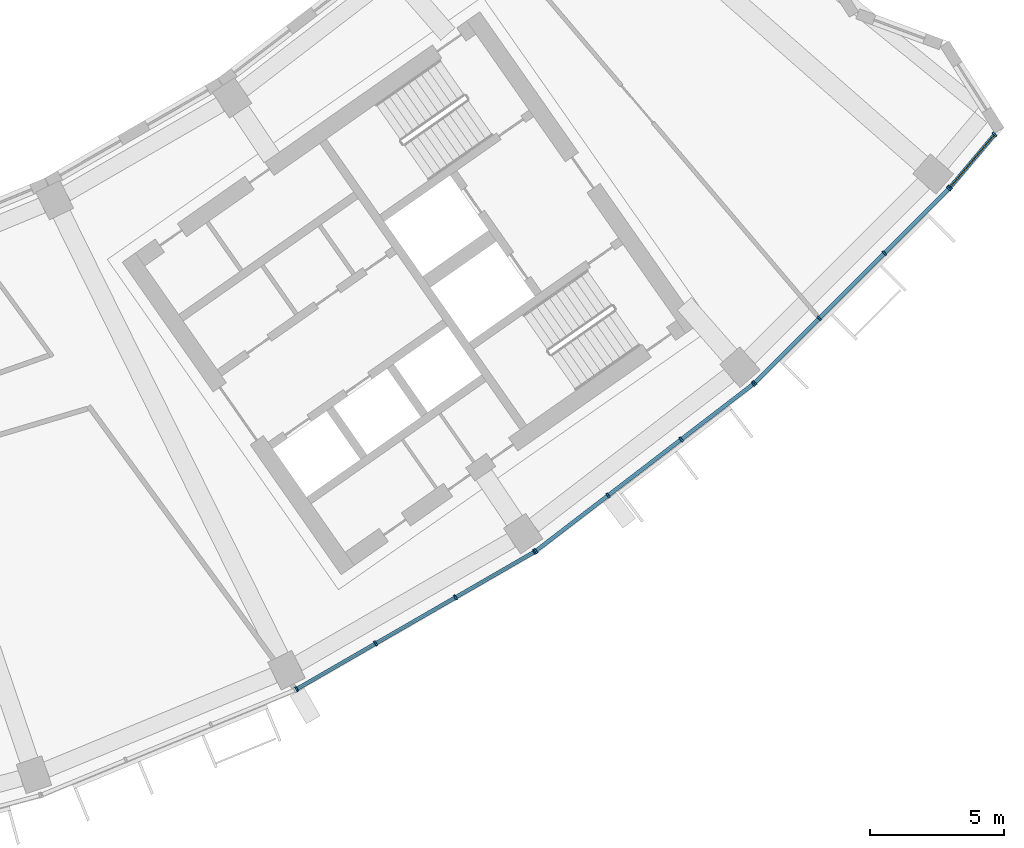
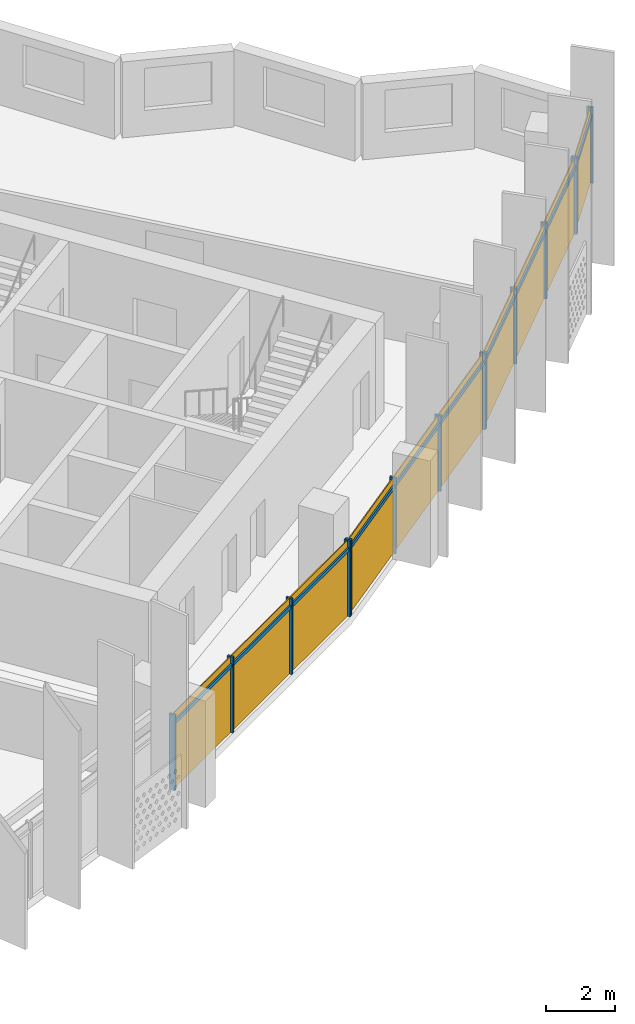
# One storey, part 22 of 28: 24 members, 4 curtain walls.
"""IFC4 building model written with IfcOpenShell, lengths in metres."""

from ifc_helpers import new_model, si_unit, direction, frame, origin, origin_2d, place, context, subcontext, project, spatial, rectangle, extrude, material, material_profile, profile_set, type_object, element, aggregate, save


model = new_model("IFC4")

# Units and contexts
model_context = context("Model", 3, precision=1e-05, world=origin(), true_north=direction((0.0, 1.0)))
body_context = subcontext(model_context, "Body", "Model", "MODEL_VIEW")
ifc_project = project(units=[si_unit("LENGTHUNIT", "METRE"), si_unit("AREAUNIT", "SQUARE_METRE"), si_unit("VOLUMEUNIT", "CUBIC_METRE"), si_unit("PLANEANGLEUNIT", "RADIAN"), si_unit("MASSUNIT", "GRAM", prefix="KILO")], contexts=[model_context])

# Member
ifc_material = material(Name="Aluminium 6063-T6 anodised", Category="aluminium")
ifc_material_profile_1 = material_profile(ifc_material, rectangle(XDim=0.199951171875, YDim=0.070068359375, at=origin_2d()))
ifc_profile_set_1 = profile_set([ifc_material_profile_1], Name="Aluminium 6063-T6 anodised")
member_type_1 = type_object("IfcMemberType", Name="Mullion 70 x 200 aluminium", PredefinedType="MULLION", material=ifc_profile_set_1)
site_placement = place(None, origin())
building_placement = place(site_placement, origin())
storey_placement = place(building_placement, frame((0.0, 0.0, 234.10009765625)))
member_1_placement = place(storey_placement, frame((34.766357421875, -70.43505859375, 0.0), z_axis=(0.0, 0.0, 1.0), x_axis=(-0.5, 0.866025403784, 0.0)))
member_1 = element("IfcMember", 1, at=member_1_placement, type_object=member_type_1, Name="e-cw1-L56-out12/M00", PredefinedType="MULLION", context=body_context, shape_type="SweptSolid", body=[
    extrude(rectangle(XDim=0.199951171875, YDim=0.070068359375, at=origin_2d()), origin(), (0.0, 0.0, 1.0), 2.699951171875),
])

member_2_placement = place(storey_placement, frame((37.705810546875, -68.73779296875, 0.0), z_axis=(0.0, 0.0, 1.0), x_axis=(-0.5, 0.866025403784, 0.0)))
member_2 = element("IfcMember", 2, at=member_2_placement, type_object=member_type_1, Name="e-cw1-L56-out12/M01", PredefinedType="MULLION", context=body_context, shape_type="SweptSolid", body=[
    extrude(rectangle(XDim=0.199951171875, YDim=0.070068359375, at=origin_2d()), origin(), (0.0, 0.0, 1.0), 2.699951171875),
])

member_3_placement = place(storey_placement, frame((40.67578125, -67.023193359375, 0.0), z_axis=(0.0, 0.0, 1.0), x_axis=(-0.5, 0.866025403784, 0.0)))
member_3 = element("IfcMember", 3, at=member_3_placement, type_object=member_type_1, Name="e-cw1-L56-out12/M02", PredefinedType="MULLION", context=body_context, shape_type="SweptSolid", body=[
    extrude(rectangle(XDim=0.199951171875, YDim=0.070068359375, at=origin_2d()), origin(), (0.0, 0.0, 1.0), 2.699951171875),
])

member_4_placement = place(storey_placement, frame((43.615234375, -65.325927734375, 0.0), z_axis=(0.0, 0.0, 1.0), x_axis=(-0.5, 0.866025403784, 0.0)))
member_4 = element("IfcMember", 4, at=member_4_placement, type_object=member_type_1, Name="e-cw1-L56-out12/M03", PredefinedType="MULLION", context=body_context, shape_type="SweptSolid", body=[
    extrude(rectangle(XDim=0.199951171875, YDim=0.070068359375, at=origin_2d()), origin(), (0.0, 0.0, 1.0), 2.699951171875),
])

member_5_placement = place(storey_placement, frame((43.66259765625, -65.29443359375, 0.0), z_axis=(0.0, 0.0, 1.0), x_axis=(-0.608761429009, 0.793353340291, 0.0)))
member_5 = element("IfcMember", 5, at=member_5_placement, type_object=member_type_1, Name="e-cw1-L56-out13/M00", PredefinedType="MULLION", context=body_context, shape_type="SweptSolid", body=[
    extrude(rectangle(XDim=0.199951171875, YDim=0.070068359375, at=origin_2d()), origin(), (0.0, 0.0, 1.0), 2.699951171875),
])

member_6_placement = place(storey_placement, frame((46.35546875, -63.22802734375, 0.0), z_axis=(0.0, 0.0, 1.0), x_axis=(-0.608761429009, 0.793353340291, 0.0)))
member_6 = element("IfcMember", 6, at=member_6_placement, type_object=member_type_1, Name="e-cw1-L56-out13/M01", PredefinedType="MULLION", context=body_context, shape_type="SweptSolid", body=[
    extrude(rectangle(XDim=0.199951171875, YDim=0.070068359375, at=origin_2d()), origin(), (0.0, 0.0, 1.0), 2.699951171875),
])

member_7_placement = place(storey_placement, frame((49.075927734375, -61.140380859375, 0.0), z_axis=(0.0, 0.0, 1.0), x_axis=(-0.608761429009, 0.793353340291, 0.0)))
member_7 = element("IfcMember", 7, at=member_7_placement, type_object=member_type_1, Name="e-cw1-L56-out13/M02", PredefinedType="MULLION", context=body_context, shape_type="SweptSolid", body=[
    extrude(rectangle(XDim=0.199951171875, YDim=0.070068359375, at=origin_2d()), origin(), (0.0, 0.0, 1.0), 2.699951171875),
])

member_8_placement = place(storey_placement, frame((51.768798828125, -59.07421875, 0.0), z_axis=(0.0, 0.0, 1.0), x_axis=(-0.608761429009, 0.793353340291, 0.0)))
member_8 = element("IfcMember", 8, at=member_8_placement, type_object=member_type_1, Name="e-cw1-L56-out13/M03", PredefinedType="MULLION", context=body_context, shape_type="SweptSolid", body=[
    extrude(rectangle(XDim=0.199951171875, YDim=0.070068359375, at=origin_2d()), origin(), (0.0, 0.0, 1.0), 2.699951171875),
])

member_9_placement = place(storey_placement, frame((51.8115234375, -59.03662109375, 0.0), z_axis=(0.0, 0.0, 1.0), x_axis=(-0.707106781187, 0.707106781187, 0.0)))
member_9 = element("IfcMember", 9, at=member_9_placement, type_object=member_type_1, Name="e-cw1-L56-out14/M00", PredefinedType="MULLION", context=body_context, shape_type="SweptSolid", body=[
    extrude(rectangle(XDim=0.199951171875, YDim=0.070068359375, at=origin_2d()), origin(), (0.0, 0.0, 1.0), 2.699951171875),
])

member_10_placement = place(storey_placement, frame((54.211669921875, -56.63671875, 0.0), z_axis=(0.0, 0.0, 1.0), x_axis=(-0.707106781187, 0.707106781187, 0.0)))
member_10 = element("IfcMember", 10, at=member_10_placement, type_object=member_type_1, Name="e-cw1-L56-out14/M01", PredefinedType="MULLION", context=body_context, shape_type="SweptSolid", body=[
    extrude(rectangle(XDim=0.199951171875, YDim=0.070068359375, at=origin_2d()), origin(), (0.0, 0.0, 1.0), 2.699951171875),
])

member_11_placement = place(storey_placement, frame((56.63671875, -54.211669921875, 0.0), z_axis=(0.0, 0.0, 1.0), x_axis=(-0.707106781187, 0.707106781187, 0.0)))
member_11 = element("IfcMember", 11, at=member_11_placement, type_object=member_type_1, Name="e-cw1-L56-out14/M02", PredefinedType="MULLION", context=body_context, shape_type="SweptSolid", body=[
    extrude(rectangle(XDim=0.199951171875, YDim=0.070068359375, at=origin_2d()), origin(), (0.0, 0.0, 1.0), 2.699951171875),
])

member_12_placement = place(storey_placement, frame((59.03662109375, -51.8115234375, 0.0), z_axis=(0.0, 0.0, 1.0), x_axis=(-0.707106781187, 0.707106781187, 0.0)))
member_12 = element("IfcMember", 12, at=member_12_placement, type_object=member_type_1, Name="e-cw1-L56-out14/M03", PredefinedType="MULLION", context=body_context, shape_type="SweptSolid", body=[
    extrude(rectangle(XDim=0.199951171875, YDim=0.070068359375, at=origin_2d()), origin(), (0.0, 0.0, 1.0), 2.699951171875),
])

member_13_placement = place(storey_placement, frame((59.078369140625, -51.766357421875, 0.0), z_axis=(0.0, 0.0, 1.0), x_axis=(-0.764421471614, 0.644716847721, 0.0)))
member_13 = element("IfcMember", 13, at=member_13_placement, type_object=member_type_1, Name="e-cw1-L56-out15/M00", PredefinedType="MULLION", context=body_context, shape_type="SweptSolid", body=[
    extrude(rectangle(XDim=0.199951171875, YDim=0.070068359375, at=origin_2d()), origin(), (0.0, 0.0, 1.0), 2.699951171875),
])

member_14_placement = place(storey_placement, frame((60.74169921875, -49.794189453125, 0.0), z_axis=(0.0, 0.0, 1.0), x_axis=(-0.764421471614, 0.644716847721, 0.0)))
member_14 = element("IfcMember", 14, at=member_14_placement, type_object=member_type_1, Name="e-cw1-L56-out15/M01", PredefinedType="MULLION", context=body_context, shape_type="SweptSolid", body=[
    extrude(rectangle(XDim=0.199951171875, YDim=0.070068359375, at=origin_2d()), origin(), (0.0, 0.0, 1.0), 2.699951171875),
])

ifc_material_profile_2 = material_profile(ifc_material, rectangle(XDim=0.139892578125, YDim=0.1201171875, at=origin_2d()))
ifc_profile_set_2 = profile_set([ifc_material_profile_2], Name="Aluminium 6063-T6 anodised")
member_type_2 = type_object("IfcMemberType", Name="Transom 120 x 140 aluminium", PredefinedType="USERDEFINED", material=ifc_profile_set_2)
member_15_placement = place(storey_placement, frame((34.796630859375, -70.41748046875, 2.39990234375), z_axis=(0.866029041019, 0.499993700073, 0.0), x_axis=(-0.499993700073, 0.866029041019, 0.0)))
member_15 = element("IfcMember", 15, at=member_15_placement, type_object=member_type_2, Name="e-cw1-L56-out12/T00", ObjectType="TRANSOM", PredefinedType="USERDEFINED", context=body_context, shape_type="SweptSolid", body=[
    extrude(rectangle(XDim=0.139892578125, YDim=0.1201171875, at=origin_2d()), origin(), (0.0, 0.0, 1.0), 3.32421875),
])

member_16_placement = place(storey_placement, frame((37.736083984375, -68.72021484375, 2.39990234375), z_axis=(0.866034314054, 0.499984566643, 0.0), x_axis=(-0.499984566643, 0.866034314054, 0.0)))
member_16 = element("IfcMember", 16, at=member_16_placement, type_object=member_type_2, Name="e-cw1-L56-out12/T01", ObjectType="TRANSOM", PredefinedType="USERDEFINED", context=body_context, shape_type="SweptSolid", body=[
    extrude(rectangle(XDim=0.139892578125, YDim=0.1201171875, at=origin_2d()), origin(), (0.0, 0.0, 1.0), 3.359375),
])

member_17_placement = place(storey_placement, frame((40.7060546875, -67.005615234375, 2.39990234375), z_axis=(0.866029041019, 0.499993700073, 0.0), x_axis=(-0.499993700073, 0.866029041019, 0.0)))
member_17 = element("IfcMember", 17, at=member_17_placement, type_object=member_type_2, Name="e-cw1-L56-out12/T02", ObjectType="TRANSOM", PredefinedType="USERDEFINED", context=body_context, shape_type="SweptSolid", body=[
    extrude(rectangle(XDim=0.139892578125, YDim=0.1201171875, at=origin_2d()), origin(), (0.0, 0.0, 1.0), 3.32421875),
])

member_18_placement = place(storey_placement, frame((43.690185546875, -65.273193359375, 2.39990234375), z_axis=(0.793368713958, 0.608741393132, 0.0), x_axis=(-0.608741393132, 0.793368713958, 0.0)))
member_18 = element("IfcMember", 18, at=member_18_placement, type_object=member_type_2, Name="e-cw1-L56-out13/T00", ObjectType="TRANSOM", PredefinedType="USERDEFINED", context=body_context, shape_type="SweptSolid", body=[
    extrude(rectangle(XDim=0.139892578125, YDim=0.1201171875, at=origin_2d()), origin(), (0.0, 0.0, 1.0), 3.324462890625),
])

member_19_placement = place(storey_placement, frame((46.383056640625, -63.206787109375, 2.39990234375), z_axis=(0.793385234627, 0.608719861247, 0.0), x_axis=(-0.608719861247, 0.793385234627, 0.0)))
member_19 = element("IfcMember", 19, at=member_19_placement, type_object=member_type_2, Name="e-cw1-L56-out13/T01", ObjectType="TRANSOM", PredefinedType="USERDEFINED", context=body_context, shape_type="SweptSolid", body=[
    extrude(rectangle(XDim=0.139892578125, YDim=0.1201171875, at=origin_2d()), origin(), (0.0, 0.0, 1.0), 3.359375),
])

member_20_placement = place(storey_placement, frame((49.103759765625, -61.119140625, 2.39990234375), z_axis=(0.793368713958, 0.608741393132, 0.0), x_axis=(-0.608741393132, 0.793368713958, 0.0)))
member_20 = element("IfcMember", 20, at=member_20_placement, type_object=member_type_2, Name="e-cw1-L56-out13/T02", ObjectType="TRANSOM", PredefinedType="USERDEFINED", context=body_context, shape_type="SweptSolid", body=[
    extrude(rectangle(XDim=0.139892578125, YDim=0.1201171875, at=origin_2d()), origin(), (0.0, 0.0, 1.0), 3.324462890625),
])

member_21_placement = place(storey_placement, frame((51.83642578125, -59.011962890625, 2.39990234375), z_axis=(0.707106781187, 0.707106781187, 0.0), x_axis=(-0.707106781187, 0.707106781187, 0.0)))
member_21 = element("IfcMember", 21, at=member_21_placement, type_object=member_type_2, Name="e-cw1-L56-out14/T00", ObjectType="TRANSOM", PredefinedType="USERDEFINED", context=body_context, shape_type="SweptSolid", body=[
    extrude(rectangle(XDim=0.139892578125, YDim=0.1201171875, at=origin_2d()), origin(), (0.0, 0.0, 1.0), 3.32421875),
])

member_22_placement = place(storey_placement, frame((54.236572265625, -56.61181640625, 2.39990234375), z_axis=(0.707106781187, 0.707106781187, 0.0), x_axis=(-0.707106781187, 0.707106781187, 0.0)))
member_22 = element("IfcMember", 22, at=member_22_placement, type_object=member_type_2, Name="e-cw1-L56-out14/T01", ObjectType="TRANSOM", PredefinedType="USERDEFINED", context=body_context, shape_type="SweptSolid", body=[
    extrude(rectangle(XDim=0.139892578125, YDim=0.1201171875, at=origin_2d()), origin(), (0.0, 0.0, 1.0), 3.359130859375),
])

member_23_placement = place(storey_placement, frame((56.661376953125, -54.18701171875, 2.39990234375), z_axis=(0.707106781187, 0.707106781187, 0.0), x_axis=(-0.707106781187, 0.707106781187, 0.0)))
member_23 = element("IfcMember", 23, at=member_23_placement, type_object=member_type_2, Name="e-cw1-L56-out14/T02", ObjectType="TRANSOM", PredefinedType="USERDEFINED", context=body_context, shape_type="SweptSolid", body=[
    extrude(rectangle(XDim=0.139892578125, YDim=0.1201171875, at=origin_2d()), origin(), (0.0, 0.0, 1.0), 3.32421875),
])

member_24_placement = place(storey_placement, frame((59.100830078125, -51.739501953125, 2.39990234375), z_axis=(0.644755525836, 0.764388848626, 0.0), x_axis=(-0.764388848626, 0.644755525836, 0.0)))
member_24 = element("IfcMember", 24, at=member_24_placement, type_object=member_type_2, Name="e-cw1-L56-out15/T00", ObjectType="TRANSOM", PredefinedType="USERDEFINED", context=body_context, shape_type="SweptSolid", body=[
    extrude(rectangle(XDim=0.139892578125, YDim=0.1201171875, at=origin_2d()), origin(), (0.0, 0.0, 1.0), 2.510009765625),
])

# Site, building, storey
site = spatial("IfcSite", under=ifc_project, at=site_placement, CompositionType="ELEMENT")
building = spatial("IfcBuilding", under=site, at=building_placement, Name="Qamariyya Broadcast Tower", CompositionType="ELEMENT")
storey = spatial("IfcBuildingStorey", under=building, at=storey_placement, Name="L56", CompositionType="ELEMENT", Elevation=234.10009765625)

# Curtain wall
curtain_wall_type = type_object("IfcCurtainWallType", Name="Unitised curtain wall, anodised aluminium", PredefinedType="NOTDEFINED", material=ifc_material)
curtain_wall_1_placement = place(storey_placement, origin())
curtain_wall_1 = element("IfcCurtainWall", 25, at=curtain_wall_1_placement, inside=storey, type_object=curtain_wall_type, Name="e-cw1-L56-out12", PredefinedType="NOTDEFINED", context=body_context, shape_type="SweptSolid", body=[
    extrude(rectangle(XDim=3.32421875, YDim=0.031982421875, at=origin_2d()), frame((36.236083984375, -69.58642578125, 0.0), x_axis=(0.866027904674, 0.499995668308, 0.0)), (0.0, 0.0, 1.0), 2.340087890625),
    extrude(rectangle(XDim=3.32421875, YDim=0.031982421875, at=origin_2d()), frame((36.236083984375, -69.58642578125, 2.4599609375), x_axis=(0.866027904674, 0.499995668308, 0.0)), (0.0, 0.0, 1.0), 0.239990234375),
    extrude(rectangle(XDim=3.359130859375, YDim=0.031982421875, at=origin_2d()), frame((39.19091796875, -67.88037109375, 0.0), x_axis=(0.866027904674, 0.499995668308, 0.0)), (0.0, 0.0, 1.0), 2.340087890625),
    extrude(rectangle(XDim=3.359130859375, YDim=0.031982421875, at=origin_2d()), frame((39.19091796875, -67.88037109375, 2.4599609375), x_axis=(0.866027904674, 0.499995668308, 0.0)), (0.0, 0.0, 1.0), 0.239990234375),
    extrude(rectangle(XDim=3.32421875, YDim=0.031982421875, at=origin_2d()), frame((42.1455078125, -66.174560546875, 0.0), x_axis=(0.866027904674, 0.499995668308, 0.0)), (0.0, 0.0, 1.0), 2.340087890625),
    extrude(rectangle(XDim=3.32421875, YDim=0.031982421875, at=origin_2d()), frame((42.1455078125, -66.174560546875, 2.4599609375), x_axis=(0.866027904674, 0.499995668308, 0.0)), (0.0, 0.0, 1.0), 0.239990234375),
])

aggregate(curtain_wall_1, [member_1, member_2, member_3, member_4, member_15, member_16, member_17])

curtain_wall_2_placement = place(storey_placement, origin())
curtain_wall_2 = element("IfcCurtainWall", 26, at=curtain_wall_2_placement, inside=storey, type_object=curtain_wall_type, Name="e-cw1-L56-out13", PredefinedType="NOTDEFINED", context=body_context, shape_type="SweptSolid", body=[
    extrude(rectangle(XDim=3.32421875, YDim=0.031982421875, at=origin_2d()), frame((45.009033203125, -64.26123046875, 0.0), x_axis=(0.793359168734, 0.608753833159, 0.0)), (0.0, 0.0, 1.0), 2.340087890625),
    extrude(rectangle(XDim=3.32421875, YDim=0.031982421875, at=origin_2d()), frame((45.009033203125, -64.26123046875, 2.4599609375), x_axis=(0.793359168734, 0.608753833159, 0.0)), (0.0, 0.0, 1.0), 0.239990234375),
    extrude(rectangle(XDim=3.359130859375, YDim=0.031982421875, at=origin_2d()), frame((47.7158203125, -62.184326171875, 0.0), x_axis=(0.793359168734, 0.608753833159, 0.0)), (0.0, 0.0, 1.0), 2.340087890625),
    extrude(rectangle(XDim=3.359130859375, YDim=0.031982421875, at=origin_2d()), frame((47.7158203125, -62.184326171875, 2.4599609375), x_axis=(0.793359168734, 0.608753833159, 0.0)), (0.0, 0.0, 1.0), 0.239990234375),
    extrude(rectangle(XDim=3.32421875, YDim=0.031982421875, at=origin_2d()), frame((50.42236328125, -60.107421875, 0.0), x_axis=(0.793359168734, 0.608753833159, 0.0)), (0.0, 0.0, 1.0), 2.340087890625),
    extrude(rectangle(XDim=3.32421875, YDim=0.031982421875, at=origin_2d()), frame((50.42236328125, -60.107421875, 2.4599609375), x_axis=(0.793359168734, 0.608753833159, 0.0)), (0.0, 0.0, 1.0), 0.239990234375),
])

aggregate(curtain_wall_2, [member_5, member_6, member_7, member_8, member_18, member_19, member_20])

curtain_wall_3_placement = place(storey_placement, origin())
curtain_wall_3 = element("IfcCurtainWall", 27, at=curtain_wall_3_placement, inside=storey, type_object=curtain_wall_type, Name="e-cw1-L56-out14", PredefinedType="NOTDEFINED", context=body_context, shape_type="SweptSolid", body=[
    extrude(rectangle(XDim=3.32421875, YDim=0.031982421875, at=origin_2d()), frame((53.01171875, -57.836669921875, 0.0), x_axis=(0.707106781187, 0.707106781187, 0.0)), (0.0, 0.0, 1.0), 2.340087890625),
    extrude(rectangle(XDim=3.32421875, YDim=0.031982421875, at=origin_2d()), frame((53.01171875, -57.836669921875, 2.4599609375), x_axis=(0.707106781187, 0.707106781187, 0.0)), (0.0, 0.0, 1.0), 0.239990234375),
    extrude(rectangle(XDim=3.359375, YDim=0.031982421875, at=origin_2d()), frame((55.42431640625, -55.42431640625, 0.0), x_axis=(0.707106781187, 0.707106781187, 0.0)), (0.0, 0.0, 1.0), 2.340087890625),
    extrude(rectangle(XDim=3.359375, YDim=0.031982421875, at=origin_2d()), frame((55.42431640625, -55.42431640625, 2.4599609375), x_axis=(0.707106781187, 0.707106781187, 0.0)), (0.0, 0.0, 1.0), 0.239990234375),
    extrude(rectangle(XDim=3.32421875, YDim=0.031982421875, at=origin_2d()), frame((57.836669921875, -53.01171875, 0.0), x_axis=(0.707106781187, 0.707106781187, 0.0)), (0.0, 0.0, 1.0), 2.340087890625),
    extrude(rectangle(XDim=3.32421875, YDim=0.031982421875, at=origin_2d()), frame((57.836669921875, -53.01171875, 2.4599609375), x_axis=(0.707106781187, 0.707106781187, 0.0)), (0.0, 0.0, 1.0), 0.239990234375),
])

aggregate(curtain_wall_3, [member_9, member_10, member_11, member_12, member_21, member_22, member_23])

curtain_wall_4_placement = place(storey_placement, origin())
curtain_wall_4 = element("IfcCurtainWall", 28, at=curtain_wall_4_placement, inside=storey, type_object=curtain_wall_type, Name="e-cw1-L56-out15", PredefinedType="NOTDEFINED", context=body_context, shape_type="SweptSolid", body=[
    extrude(rectangle(XDim=2.510009765625, YDim=0.031982421875, at=origin_2d()), frame((59.909912109375, -50.7802734375, 0.0), x_axis=(0.644731339518, 0.764409248926, 0.0)), (0.0, 0.0, 1.0), 2.340087890625),
    extrude(rectangle(XDim=2.510009765625, YDim=0.031982421875, at=origin_2d()), frame((59.909912109375, -50.7802734375, 2.4599609375), x_axis=(0.644731339518, 0.764409248926, 0.0)), (0.0, 0.0, 1.0), 0.239990234375),
])

aggregate(curtain_wall_4, [member_13, member_14, member_24])

save(model, "model.ifc")
